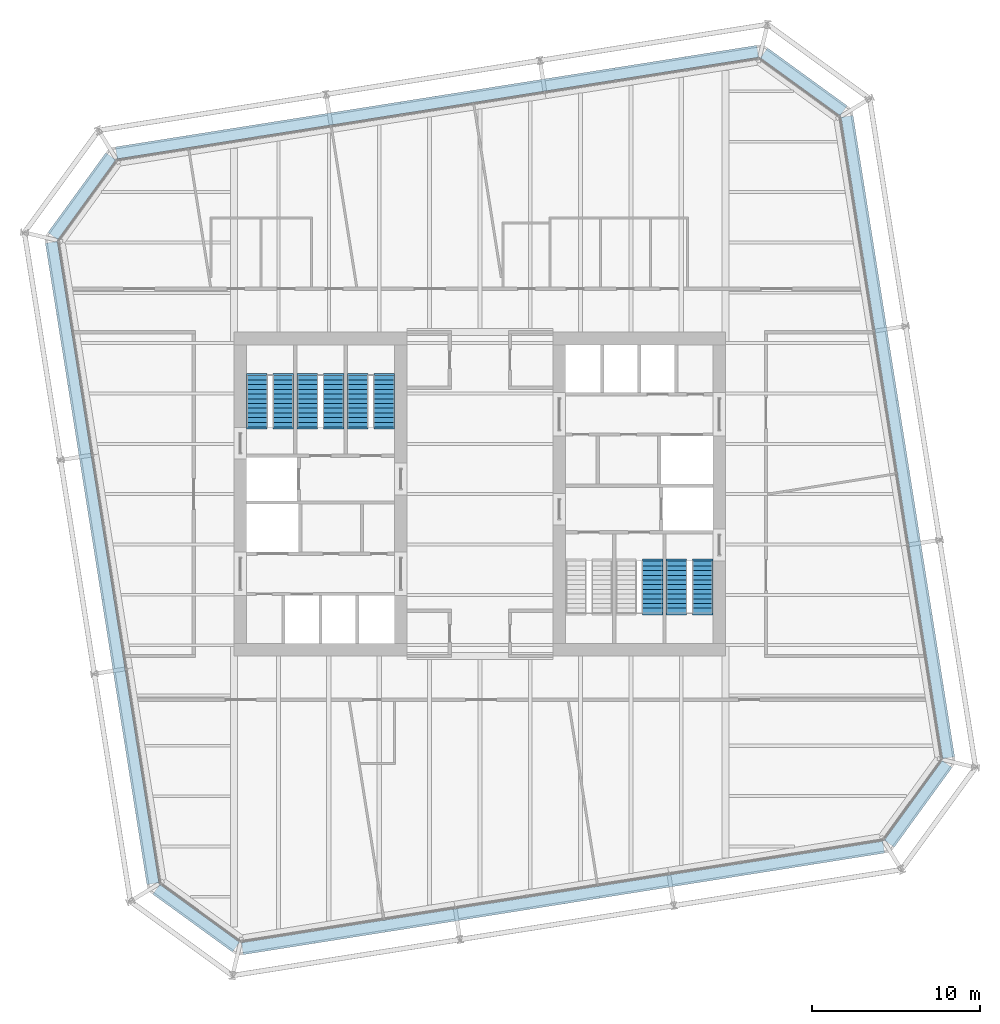
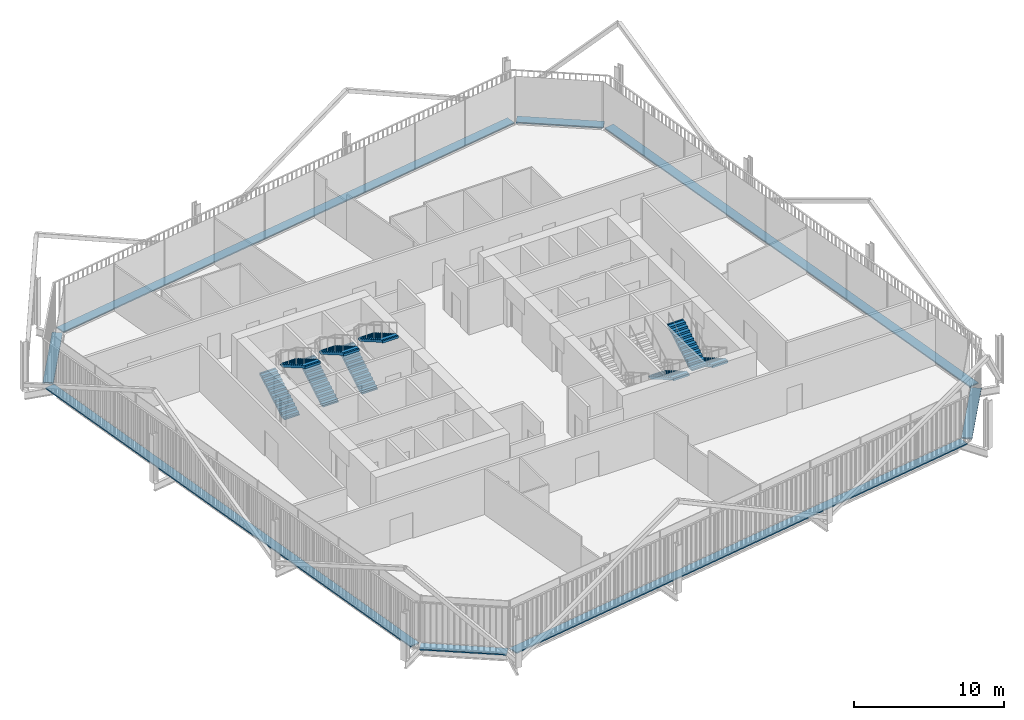
# One storey, part 21 of 22: 9 stair flights, 8 discrete accessories, 5 elements without a shape of their own.
"""IFC4 building model written with IfcOpenShell, lengths in metres."""

from ifc_helpers import new_model, si_unit, direction, frame, origin, origin_2d, place, context, subcontext, project, spatial, polyline, rectangle, outline, extrude, material, type_object, element, aggregate, save


model = new_model("IFC4")

# Units and contexts
model_context = context("Model", 3, precision=1e-05, world=origin(), true_north=direction((0.0, 1.0)))
body_context = subcontext(model_context, "Body", "Model", "MODEL_VIEW")
ifc_project = project(units=[si_unit("LENGTHUNIT", "METRE"), si_unit("AREAUNIT", "SQUARE_METRE"), si_unit("VOLUMEUNIT", "CUBIC_METRE"), si_unit("PLANEANGLEUNIT", "RADIAN"), si_unit("MASSUNIT", "GRAM", prefix="KILO")], contexts=[model_context])

# Site, building, storey
site_placement = place(None, origin())
site = spatial("IfcSite", under=ifc_project, at=site_placement, CompositionType="ELEMENT")
building_placement = place(site_placement, origin())
building = spatial("IfcBuilding", under=site, at=building_placement, Name="Millrace Tower", CompositionType="ELEMENT")
storey_placement = place(building_placement, frame((0.0, 0.0, 187.800048828125)))
storey = spatial("IfcBuildingStorey", under=building, at=storey_placement, Name="L42", CompositionType="ELEMENT", Elevation=187.800048828125)

# Stair, stair flights
ifc_material_1 = material(Name="Concrete C35", Category="concrete")
stair_type = type_object("IfcStairType", Name="Exit stair", PredefinedType="HALF_TURN_STAIR", material=ifc_material_1)
placement = place(storey_placement, origin())
stair_1 = element("IfcStair", 1, at=placement, inside=storey, type_object=stair_type, Name="Stair 1 W L42", PredefinedType="HALF_TURN_STAIR")
ifc_material_2 = material(Name="Concrete C35", Category="concrete")
stair_flight_type = type_object("IfcStairFlightType", Name="Exit stair flight", PredefinedType="STRAIGHT", material=ifc_material_2)
stair_flight_1_placement = place(storey_placement, frame((-13.2900390625, 4.0, 0.0), z_axis=(0.0, 0.0, 1.0), x_axis=(0.0, 1.0, 0.0)))
stair_flight_1 = element("IfcStairFlight", 2, at=stair_flight_1_placement, type_object=stair_flight_type, Name="ST12 flight 1", NumberOfRisers=12, NumberOfTreads=11, PredefinedType="STRAIGHT", RiserHeight=0.1625, TreadLength=0.28, context=body_context, shape_type="SweptSolid", body=[
    extrude(outline(polyline([(-0.1201171875, -0.0400390625), (-0.1201171875, 0.0), (0.0, 0.0), (0.0, 0.16259765625), (0.280029296875, 0.16259765625), (0.280029296875, 0.324951171875), (0.56005859375, 0.324951171875), (0.56005859375, 0.487548828125), (0.840087890625, 0.487548828125), (0.840087890625, 0.64990234375), (1.1201171875, 0.64990234375), (1.1201171875, 0.8125), (1.39990234375, 0.8125), (1.39990234375, 0.97509765625), (1.679931640625, 0.97509765625), (1.679931640625, 1.137451171875), (1.9599609375, 1.137451171875), (1.9599609375, 1.300048828125), (2.239990234375, 1.300048828125), (2.239990234375, 1.46240234375), (2.52001953125, 1.46240234375), (2.52001953125, 1.625), (2.800048828125, 1.625), (2.800048828125, 1.78759765625), (3.080078125, 1.78759765625), (3.080078125, 1.8076171875), (3.199951171875, 1.8076171875), (3.199951171875, 1.6142578125), (3.080078125, 1.6142578125), (0.298583984375, 0.0), (0.298583984375, -0.0400390625), (-0.1201171875, -0.0400390625)])), frame((0.0, 0.60986328125, 0.0), z_axis=(0.0, -1.0, 0.0), x_axis=(1.0, 0.0, 0.0)), (0.0, 0.0, 1.0), 1.219970703125),
])
stair_flight_2_placement = place(storey_placement, frame((-11.7099609375, 7.080078125, 1.949951171875), z_axis=(0.0, 0.0, 1.0), x_axis=(0.0, -1.0, 0.0)))
stair_flight_2 = element("IfcStairFlight", 3, at=stair_flight_2_placement, type_object=stair_flight_type, Name="ST12 flight 2", NumberOfRisers=12, NumberOfTreads=11, PredefinedType="STRAIGHT", RiserHeight=0.1625, TreadLength=0.28, context=body_context, shape_type="SweptSolid", body=[
    extrude(outline(polyline([(-0.1201171875, -0.0400390625), (-0.1201171875, 0.0), (0.0, 0.0), (0.0, 0.16259765625), (0.280029296875, 0.16259765625), (0.280029296875, 0.324951171875), (0.56005859375, 0.324951171875), (0.56005859375, 0.487548828125), (0.840087890625, 0.487548828125), (0.840087890625, 0.64990234375), (1.1201171875, 0.64990234375), (1.1201171875, 0.8125), (1.39990234375, 0.8125), (1.39990234375, 0.97509765625), (1.679931640625, 0.97509765625), (1.679931640625, 1.137451171875), (1.9599609375, 1.137451171875), (1.9599609375, 1.300048828125), (2.239990234375, 1.300048828125), (2.239990234375, 1.46240234375), (2.52001953125, 1.46240234375), (2.52001953125, 1.625), (2.800048828125, 1.625), (2.800048828125, 1.78759765625), (3.080078125, 1.78759765625), (3.080078125, 1.8076171875), (3.199951171875, 1.8076171875), (3.199951171875, 1.6142578125), (3.080078125, 1.6142578125), (0.298583984375, 0.0), (0.298583984375, -0.0400390625), (-0.1201171875, -0.0400390625)])), frame((0.0, 0.60986328125, 0.0), z_axis=(0.0, -1.0, 0.0), x_axis=(1.0, 0.0, 0.0)), (0.0, 0.0, 1.0), 1.219970703125),
])
aggregate(stair_1, [stair_flight_1, stair_flight_2])

stair_2 = element("IfcStair", 4, at=placement, inside=storey, type_object=stair_type, Name="Stair 2 W L42", PredefinedType="HALF_TURN_STAIR")
stair_flight_3_placement = place(storey_placement, frame((-10.2900390625, 4.0, 0.0), z_axis=(0.0, 0.0, 1.0), x_axis=(0.0, 1.0, 0.0)))
stair_flight_3 = element("IfcStairFlight", 5, at=stair_flight_3_placement, type_object=stair_flight_type, Name="ST12 flight 1", NumberOfRisers=12, NumberOfTreads=11, PredefinedType="STRAIGHT", RiserHeight=0.1625, TreadLength=0.28, context=body_context, shape_type="SweptSolid", body=[
    extrude(outline(polyline([(-0.1201171875, -0.0400390625), (-0.1201171875, 0.0), (0.0, 0.0), (0.0, 0.16259765625), (0.280029296875, 0.16259765625), (0.280029296875, 0.324951171875), (0.56005859375, 0.324951171875), (0.56005859375, 0.487548828125), (0.840087890625, 0.487548828125), (0.840087890625, 0.64990234375), (1.1201171875, 0.64990234375), (1.1201171875, 0.8125), (1.39990234375, 0.8125), (1.39990234375, 0.97509765625), (1.679931640625, 0.97509765625), (1.679931640625, 1.137451171875), (1.9599609375, 1.137451171875), (1.9599609375, 1.300048828125), (2.239990234375, 1.300048828125), (2.239990234375, 1.46240234375), (2.52001953125, 1.46240234375), (2.52001953125, 1.625), (2.800048828125, 1.625), (2.800048828125, 1.78759765625), (3.080078125, 1.78759765625), (3.080078125, 1.8076171875), (3.199951171875, 1.8076171875), (3.199951171875, 1.6142578125), (3.080078125, 1.6142578125), (0.298583984375, 0.0), (0.298583984375, -0.0400390625), (-0.1201171875, -0.0400390625)])), frame((0.0, 0.60986328125, 0.0), z_axis=(0.0, -1.0, 0.0), x_axis=(1.0, 0.0, 0.0)), (0.0, 0.0, 1.0), 1.219970703125),
])
stair_flight_4_placement = place(storey_placement, frame((-8.7099609375, 7.080078125, 1.949951171875), z_axis=(0.0, 0.0, 1.0), x_axis=(0.0, -1.0, 0.0)))
stair_flight_4 = element("IfcStairFlight", 6, at=stair_flight_4_placement, type_object=stair_flight_type, Name="ST12 flight 2", NumberOfRisers=12, NumberOfTreads=11, PredefinedType="STRAIGHT", RiserHeight=0.1625, TreadLength=0.28, context=body_context, shape_type="SweptSolid", body=[
    extrude(outline(polyline([(-0.1201171875, -0.0400390625), (-0.1201171875, 0.0), (0.0, 0.0), (0.0, 0.16259765625), (0.280029296875, 0.16259765625), (0.280029296875, 0.324951171875), (0.56005859375, 0.324951171875), (0.56005859375, 0.487548828125), (0.840087890625, 0.487548828125), (0.840087890625, 0.64990234375), (1.1201171875, 0.64990234375), (1.1201171875, 0.8125), (1.39990234375, 0.8125), (1.39990234375, 0.97509765625), (1.679931640625, 0.97509765625), (1.679931640625, 1.137451171875), (1.9599609375, 1.137451171875), (1.9599609375, 1.300048828125), (2.239990234375, 1.300048828125), (2.239990234375, 1.46240234375), (2.52001953125, 1.46240234375), (2.52001953125, 1.625), (2.800048828125, 1.625), (2.800048828125, 1.78759765625), (3.080078125, 1.78759765625), (3.080078125, 1.8076171875), (3.199951171875, 1.8076171875), (3.199951171875, 1.6142578125), (3.080078125, 1.6142578125), (0.298583984375, 0.0), (0.298583984375, -0.0400390625), (-0.1201171875, -0.0400390625)])), frame((0.0, 0.60986328125, 0.0), z_axis=(0.0, -1.0, 0.0), x_axis=(1.0, 0.0, 0.0)), (0.0, 0.0, 1.0), 1.219970703125),
])
aggregate(stair_2, [stair_flight_3, stair_flight_4])

stair_3 = element("IfcStair", 7, at=placement, inside=storey, type_object=stair_type, Name="Stair 3 W L42", PredefinedType="HALF_TURN_STAIR")
stair_flight_5_placement = place(storey_placement, frame((-7.2900390625, 4.0, 0.0), z_axis=(0.0, 0.0, 1.0), x_axis=(0.0, 1.0, 0.0)))
stair_flight_5 = element("IfcStairFlight", 8, at=stair_flight_5_placement, type_object=stair_flight_type, Name="ST12 flight 1", NumberOfRisers=12, NumberOfTreads=11, PredefinedType="STRAIGHT", RiserHeight=0.1625, TreadLength=0.28, context=body_context, shape_type="SweptSolid", body=[
    extrude(outline(polyline([(-0.1201171875, -0.0400390625), (-0.1201171875, 0.0), (0.0, 0.0), (0.0, 0.16259765625), (0.280029296875, 0.16259765625), (0.280029296875, 0.324951171875), (0.56005859375, 0.324951171875), (0.56005859375, 0.487548828125), (0.840087890625, 0.487548828125), (0.840087890625, 0.64990234375), (1.1201171875, 0.64990234375), (1.1201171875, 0.8125), (1.39990234375, 0.8125), (1.39990234375, 0.97509765625), (1.679931640625, 0.97509765625), (1.679931640625, 1.137451171875), (1.9599609375, 1.137451171875), (1.9599609375, 1.300048828125), (2.239990234375, 1.300048828125), (2.239990234375, 1.46240234375), (2.52001953125, 1.46240234375), (2.52001953125, 1.625), (2.800048828125, 1.625), (2.800048828125, 1.78759765625), (3.080078125, 1.78759765625), (3.080078125, 1.8076171875), (3.199951171875, 1.8076171875), (3.199951171875, 1.6142578125), (3.080078125, 1.6142578125), (0.298583984375, 0.0), (0.298583984375, -0.0400390625), (-0.1201171875, -0.0400390625)])), frame((0.0, 0.60986328125, 0.0), z_axis=(0.0, -1.0, 0.0), x_axis=(1.0, 0.0, 0.0)), (0.0, 0.0, 1.0), 1.219970703125),
])
stair_flight_6_placement = place(storey_placement, frame((-5.7099609375, 7.080078125, 1.949951171875), z_axis=(0.0, 0.0, 1.0), x_axis=(0.0, -1.0, 0.0)))
stair_flight_6 = element("IfcStairFlight", 9, at=stair_flight_6_placement, type_object=stair_flight_type, Name="ST12 flight 2", NumberOfRisers=12, NumberOfTreads=11, PredefinedType="STRAIGHT", RiserHeight=0.1625, TreadLength=0.28, context=body_context, shape_type="SweptSolid", body=[
    extrude(outline(polyline([(-0.1201171875, -0.0400390625), (-0.1201171875, 0.0), (0.0, 0.0), (0.0, 0.16259765625), (0.280029296875, 0.16259765625), (0.280029296875, 0.324951171875), (0.56005859375, 0.324951171875), (0.56005859375, 0.487548828125), (0.840087890625, 0.487548828125), (0.840087890625, 0.64990234375), (1.1201171875, 0.64990234375), (1.1201171875, 0.8125), (1.39990234375, 0.8125), (1.39990234375, 0.97509765625), (1.679931640625, 0.97509765625), (1.679931640625, 1.137451171875), (1.9599609375, 1.137451171875), (1.9599609375, 1.300048828125), (2.239990234375, 1.300048828125), (2.239990234375, 1.46240234375), (2.52001953125, 1.46240234375), (2.52001953125, 1.625), (2.800048828125, 1.625), (2.800048828125, 1.78759765625), (3.080078125, 1.78759765625), (3.080078125, 1.8076171875), (3.199951171875, 1.8076171875), (3.199951171875, 1.6142578125), (3.080078125, 1.6142578125), (0.298583984375, 0.0), (0.298583984375, -0.0400390625), (-0.1201171875, -0.0400390625)])), frame((0.0, 0.60986328125, 0.0), z_axis=(0.0, -1.0, 0.0), x_axis=(1.0, 0.0, 0.0)), (0.0, 0.0, 1.0), 1.219970703125),
])
aggregate(stair_3, [stair_flight_5, stair_flight_6])

stair_4 = element("IfcStair", 10, at=placement, inside=storey, type_object=stair_type, Name="Stair 1 E L42", PredefinedType="HALF_TURN_STAIR")
stair_flight_7_placement = place(storey_placement, frame((13.2900390625, -4.0, 0.0), z_axis=(0.0, 0.0, 1.0), x_axis=(0.0, -1.0, 0.0)))
stair_flight_7 = element("IfcStairFlight", 11, at=stair_flight_7_placement, type_object=stair_flight_type, Name="ST12 flight 1", NumberOfRisers=12, NumberOfTreads=11, PredefinedType="STRAIGHT", RiserHeight=0.1625, TreadLength=0.28, context=body_context, shape_type="SweptSolid", body=[
    extrude(outline(polyline([(-0.1201171875, -0.0400390625), (-0.1201171875, 0.0), (0.0, 0.0), (0.0, 0.16259765625), (0.280029296875, 0.16259765625), (0.280029296875, 0.324951171875), (0.56005859375, 0.324951171875), (0.56005859375, 0.487548828125), (0.840087890625, 0.487548828125), (0.840087890625, 0.64990234375), (1.1201171875, 0.64990234375), (1.1201171875, 0.8125), (1.39990234375, 0.8125), (1.39990234375, 0.97509765625), (1.679931640625, 0.97509765625), (1.679931640625, 1.137451171875), (1.9599609375, 1.137451171875), (1.9599609375, 1.300048828125), (2.239990234375, 1.300048828125), (2.239990234375, 1.46240234375), (2.52001953125, 1.46240234375), (2.52001953125, 1.625), (2.800048828125, 1.625), (2.800048828125, 1.78759765625), (3.080078125, 1.78759765625), (3.080078125, 1.8076171875), (3.199951171875, 1.8076171875), (3.199951171875, 1.6142578125), (3.080078125, 1.6142578125), (0.298583984375, 0.0), (0.298583984375, -0.0400390625), (-0.1201171875, -0.0400390625)])), frame((0.0, 0.60986328125, 0.0), z_axis=(0.0, -1.0, 0.0), x_axis=(1.0, 0.0, 0.0)), (0.0, 0.0, 1.0), 1.219970703125),
])
stair_flight_8_placement = place(storey_placement, frame((11.7099609375, -7.080078125, 1.949951171875), z_axis=(0.0, 0.0, 1.0), x_axis=(0.0, 1.0, 0.0)))
stair_flight_8 = element("IfcStairFlight", 12, at=stair_flight_8_placement, type_object=stair_flight_type, Name="ST12 flight 2", NumberOfRisers=12, NumberOfTreads=11, PredefinedType="STRAIGHT", RiserHeight=0.1625, TreadLength=0.28, context=body_context, shape_type="SweptSolid", body=[
    extrude(outline(polyline([(-0.1201171875, -0.0400390625), (-0.1201171875, 0.0), (0.0, 0.0), (0.0, 0.16259765625), (0.280029296875, 0.16259765625), (0.280029296875, 0.324951171875), (0.56005859375, 0.324951171875), (0.56005859375, 0.487548828125), (0.840087890625, 0.487548828125), (0.840087890625, 0.64990234375), (1.1201171875, 0.64990234375), (1.1201171875, 0.8125), (1.39990234375, 0.8125), (1.39990234375, 0.97509765625), (1.679931640625, 0.97509765625), (1.679931640625, 1.137451171875), (1.9599609375, 1.137451171875), (1.9599609375, 1.300048828125), (2.239990234375, 1.300048828125), (2.239990234375, 1.46240234375), (2.52001953125, 1.46240234375), (2.52001953125, 1.625), (2.800048828125, 1.625), (2.800048828125, 1.78759765625), (3.080078125, 1.78759765625), (3.080078125, 1.8076171875), (3.199951171875, 1.8076171875), (3.199951171875, 1.6142578125), (3.080078125, 1.6142578125), (0.298583984375, 0.0), (0.298583984375, -0.0400390625), (-0.1201171875, -0.0400390625)])), frame((0.0, 0.60986328125, 0.0), z_axis=(0.0, -1.0, 0.0), x_axis=(1.0, 0.0, 0.0)), (0.0, 0.0, 1.0), 1.219970703125),
])
aggregate(stair_4, [stair_flight_7, stair_flight_8])

# Stair, stair flight
stair_5 = element("IfcStair", 13, at=placement, inside=storey, type_object=stair_type, Name="Stair 2 E L42", PredefinedType="HALF_TURN_STAIR")
stair_flight_9_placement = place(storey_placement, frame((10.2900390625, -4.0, 0.0), z_axis=(0.0, 0.0, 1.0), x_axis=(0.0, -1.0, 0.0)))
stair_flight_9 = element("IfcStairFlight", 14, at=stair_flight_9_placement, type_object=stair_flight_type, Name="ST12 flight 1", NumberOfRisers=12, NumberOfTreads=11, PredefinedType="STRAIGHT", RiserHeight=0.1625, TreadLength=0.28, context=body_context, shape_type="SweptSolid", body=[
    extrude(outline(polyline([(-0.1201171875, -0.0400390625), (-0.1201171875, 0.0), (0.0, 0.0), (0.0, 0.16259765625), (0.280029296875, 0.16259765625), (0.280029296875, 0.324951171875), (0.56005859375, 0.324951171875), (0.56005859375, 0.487548828125), (0.840087890625, 0.487548828125), (0.840087890625, 0.64990234375), (1.1201171875, 0.64990234375), (1.1201171875, 0.8125), (1.39990234375, 0.8125), (1.39990234375, 0.97509765625), (1.679931640625, 0.97509765625), (1.679931640625, 1.137451171875), (1.9599609375, 1.137451171875), (1.9599609375, 1.300048828125), (2.239990234375, 1.300048828125), (2.239990234375, 1.46240234375), (2.52001953125, 1.46240234375), (2.52001953125, 1.625), (2.800048828125, 1.625), (2.800048828125, 1.78759765625), (3.080078125, 1.78759765625), (3.080078125, 1.8076171875), (3.199951171875, 1.8076171875), (3.199951171875, 1.6142578125), (3.080078125, 1.6142578125), (0.298583984375, 0.0), (0.298583984375, -0.0400390625), (-0.1201171875, -0.0400390625)])), frame((0.0, 0.60986328125, 0.0), z_axis=(0.0, -1.0, 0.0), x_axis=(1.0, 0.0, 0.0)), (0.0, 0.0, 1.0), 1.219970703125),
])
aggregate(stair_5, [stair_flight_9])

# Discrete accessories
ifc_material_3 = material(Name="Stainless steel ASTM A240 type 316", Category="steel")
discrete_accessory_type = type_object("IfcDiscreteAccessoryType", Name="Thermally broken screen support rail", PredefinedType="BRACKET", material=ifc_material_3)
discrete_accessory_1_placement = place(storey_placement, frame((-16.909423828125, -25.275390625, 0.0), z_axis=(0.0, 0.0, 1.0), x_axis=(0.809016981623, -0.587785269844, 0.0)))
element("IfcDiscreteAccessory", 15, at=discrete_accessory_1_placement, inside=storey, type_object=discrete_accessory_type, Name="Thermally broken screen support rail C-F01 L42 1", PredefinedType="BRACKET", context=body_context, shape_type="SweptSolid", body=[
    extrude(rectangle(XDim=5.868896484375, YDim=0.719970703125, at=origin_2d()), origin(), (0.0, 0.0, 1.0), 0.10009765625),
])
discrete_accessory_2_placement = place(storey_placement, frame((4.9560546875, -24.064453125, 0.0), z_axis=(0.0, 0.0, 1.0), x_axis=(0.98768833929, 0.15643447328, 0.0)))
element("IfcDiscreteAccessory", 16, at=discrete_accessory_2_placement, inside=storey, type_object=discrete_accessory_type, Name="Thermally broken screen support rail C-F02 L42 1", PredefinedType="BRACKET", context=body_context, shape_type="SweptSolid", body=[
    extrude(rectangle(XDim=38.699951171875, YDim=0.719970703125, at=origin_2d()), origin(), (0.0, 0.0, 1.0), 0.10009765625),
])
discrete_accessory_3_placement = place(storey_placement, frame((26.12548828125, -18.45947265625, 0.0), z_axis=(0.0, 0.0, 1.0), x_axis=(0.587785269844, 0.809016981623, 0.0)))
element("IfcDiscreteAccessory", 17, at=discrete_accessory_3_placement, inside=storey, type_object=discrete_accessory_type, Name="Thermally broken screen support rail C-F03 L42 1", PredefinedType="BRACKET", context=body_context, shape_type="SweptSolid", body=[
    extrude(rectangle(XDim=5.868896484375, YDim=0.719970703125, at=origin_2d()), origin(), (0.0, 0.0, 1.0), 0.10009765625),
])
discrete_accessory_4_placement = place(storey_placement, frame((24.914306640625, 3.406005859375, 0.0), z_axis=(0.0, 0.0, 1.0), x_axis=(-0.15643447328, 0.98768833929, 0.0)))
element("IfcDiscreteAccessory", 18, at=discrete_accessory_4_placement, inside=storey, type_object=discrete_accessory_type, Name="Thermally broken screen support rail C-F04 L42 1", PredefinedType="BRACKET", context=body_context, shape_type="SweptSolid", body=[
    extrude(rectangle(XDim=38.699951171875, YDim=0.719970703125, at=origin_2d()), origin(), (0.0, 0.0, 1.0), 0.10009765625),
])
discrete_accessory_5_placement = place(storey_placement, frame((19.309326171875, 24.575439453125, 0.0), z_axis=(0.0, 0.0, 1.0), x_axis=(-0.809016981623, 0.587785269844, 0.0)))
element("IfcDiscreteAccessory", 19, at=discrete_accessory_5_placement, inside=storey, type_object=discrete_accessory_type, Name="Thermally broken screen support rail C-F05 L42 1", PredefinedType="BRACKET", context=body_context, shape_type="SweptSolid", body=[
    extrude(rectangle(XDim=5.868896484375, YDim=0.719970703125, at=origin_2d()), origin(), (0.0, 0.0, 1.0), 0.10009765625),
])
discrete_accessory_6_placement = place(storey_placement, frame((-2.555908203125, 23.364501953125, 0.0), z_axis=(0.0, 0.0, 1.0), x_axis=(-0.98768833929, -0.15643447328, 0.0)))
element("IfcDiscreteAccessory", 20, at=discrete_accessory_6_placement, inside=storey, type_object=discrete_accessory_type, Name="Thermally broken screen support rail C-F06 L42 1", PredefinedType="BRACKET", context=body_context, shape_type="SweptSolid", body=[
    extrude(rectangle(XDim=38.699951171875, YDim=0.719970703125, at=origin_2d()), origin(), (0.0, 0.0, 1.0), 0.10009765625),
])
discrete_accessory_7_placement = place(storey_placement, frame((-23.725341796875, 17.75927734375, 0.0), z_axis=(0.0, 0.0, 1.0), x_axis=(-0.587785269844, -0.809016981623, 0.0)))
element("IfcDiscreteAccessory", 21, at=discrete_accessory_7_placement, inside=storey, type_object=discrete_accessory_type, Name="Thermally broken screen support rail C-F07 L42 1", PredefinedType="BRACKET", context=body_context, shape_type="SweptSolid", body=[
    extrude(rectangle(XDim=5.868896484375, YDim=0.719970703125, at=origin_2d()), origin(), (0.0, 0.0, 1.0), 0.10009765625),
])
discrete_accessory_8_placement = place(storey_placement, frame((-22.514404296875, -4.10595703125, 0.0), z_axis=(0.0, 0.0, 1.0), x_axis=(0.15643447328, -0.98768833929, 0.0)))
element("IfcDiscreteAccessory", 22, at=discrete_accessory_8_placement, inside=storey, type_object=discrete_accessory_type, Name="Thermally broken screen support rail C-F08 L42 1", PredefinedType="BRACKET", context=body_context, shape_type="SweptSolid", body=[
    extrude(rectangle(XDim=38.699951171875, YDim=0.719970703125, at=origin_2d()), origin(), (0.0, 0.0, 1.0), 0.10009765625),
])

save(model, "model.ifc")
